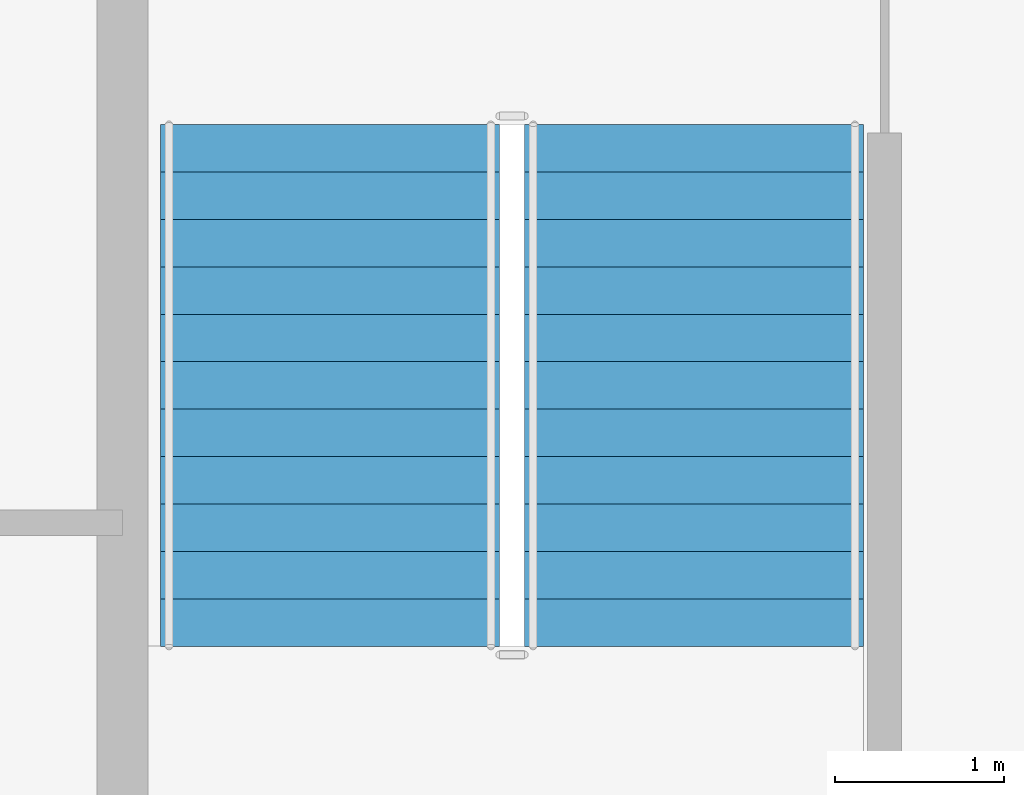
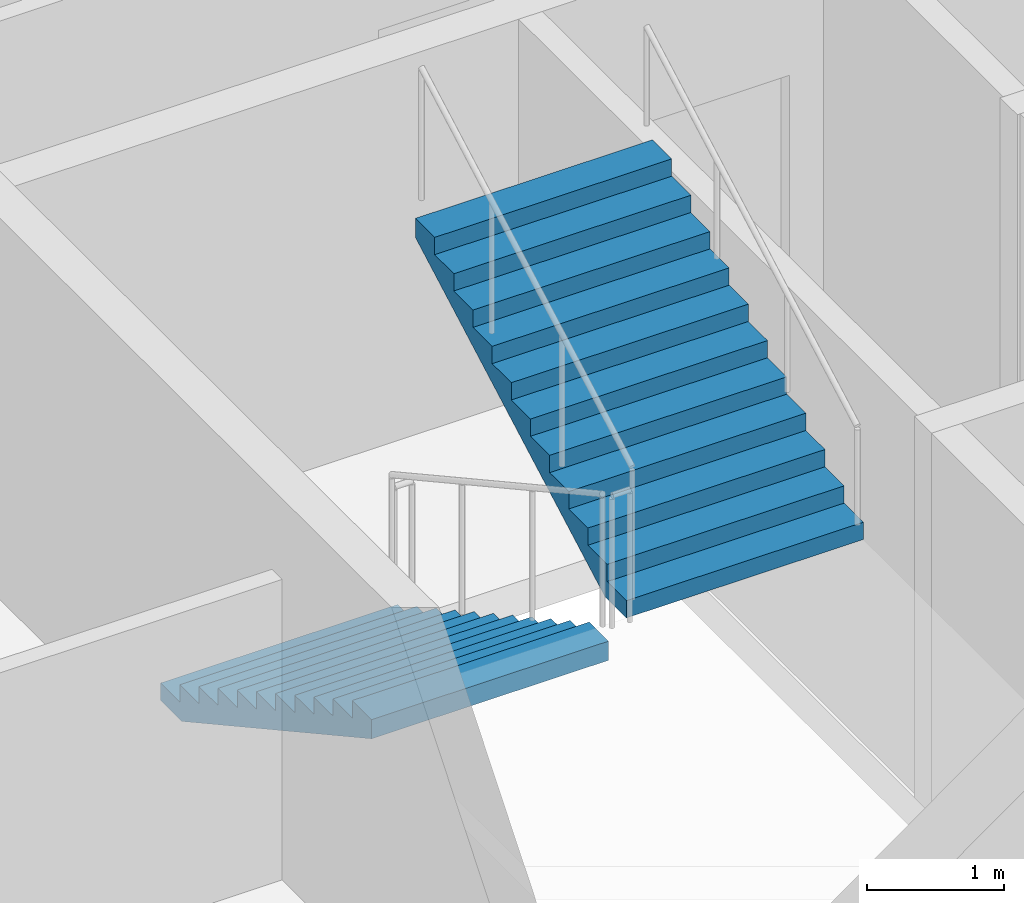
# One storey, part 10 of 13: 2 stair flights, 1 element without a shape of its own.
"""IFC4 building model written with IfcOpenShell, lengths in metres."""

import ifcopenshell
import ifcopenshell.guid

model = None  # the IFC model being written
_history = None  # IfcOwnerHistory: only IFC2X3 demands one
_inside = {}  # id of a spatial element -> (the spatial element, [elements in it])
_under = {}  # id of a project, library or spatial element -> (it, [spatial elements below it])
_declared = {}  # id of a project -> (the project, [libraries it declares])
_typed = {}  # id of a type object -> (the type object, [elements of that type])
_made_of = {}  # id of a material, layer set ... -> (it, [elements and type objects made of it])


def new_model(schema):
    """Start an empty IFC model of exactly this schema.

    Asked for "IFC4X3", IfcOpenShell would pick the latest addendum, in which some entities
    have other attributes; the version numbers below select the first issue.
    IFC2X3 requires an IfcOwnerHistory on every rooted entity: one is made here for all.
    """
    global model, _history
    if schema == "IFC4X3":
        model = ifcopenshell.file(schema_version=(4, 3, 0, 0))
    else:
        model = ifcopenshell.file(schema=schema)
    _inside.clear()
    _under.clear()
    _declared.clear()
    _typed.clear()
    _made_of.clear()
    _history = None
    if model.schema == "IFC2X3":
        org = make("IfcOrganization", Name="unknown")
        user = make(
            "IfcPersonAndOrganization",
            ThePerson=make("IfcPerson", FamilyName="unknown"),
            TheOrganization=org,
        )
        app = make(
            "IfcApplication",
            ApplicationDeveloper=org,
            Version="unknown",
            ApplicationFullName="unknown",
            ApplicationIdentifier="unknown",
        )
        _history = make(
            "IfcOwnerHistory",
            OwningUser=user,
            OwningApplication=app,
            ChangeAction="ADDED",
            CreationDate=0,
        )
    return model


def make(cls, **values):
    """One entity of the class cls with the attributes given. An attribute that is None is left unset."""
    return model.create_entity(
        cls, **{name: value for name, value in values.items() if value is not None}
    )


def rooted(cls, **values):
    """An entity with a GlobalId (a new one), such as an element, a storey or a relation."""
    return make(cls, GlobalId=ifcopenshell.guid.new(), OwnerHistory=_history, **values)


def si_unit(unit_type, name, prefix=None):
    """IfcSIUnit, for example si_unit("LENGTHUNIT", "METRE", prefix="MILLI")."""
    return make("IfcSIUnit", UnitType=unit_type, Prefix=prefix, Name=name)


def assignment(units):
    """IfcUnitAssignment: the units of a project."""
    return None if units is None else make("IfcUnitAssignment", Units=units)


def point(xyz):
    """IfcCartesianPoint."""
    return None if xyz is None else make("IfcCartesianPoint", Coordinates=xyz)


def direction(xyz):
    """IfcDirection."""
    return None if xyz is None else make("IfcDirection", DirectionRatios=xyz)


def frame(location, z_axis=None, x_axis=None):
    """IfcAxis2Placement3D, a coordinate frame: its origin and axes. An axis left out is left unset."""
    return make(
        "IfcAxis2Placement3D",
        Location=point(location),
        Axis=direction(z_axis),
        RefDirection=direction(x_axis),
    )


def origin():
    """The frame at (0, 0, 0) with its axes left unset."""
    return frame((0.0, 0.0, 0.0))


def place(relative_to, where):
    """IfcLocalPlacement: puts the frame where relative to a parent placement (None: the world)."""
    return make(
        "IfcLocalPlacement", PlacementRelTo=relative_to, RelativePlacement=where
    )


def context(
    kind, dimensions, precision=None, world=None, true_north=None, identifier=None
):
    """IfcGeometricRepresentationContext, for example the 3D "Model" context."""
    return make(
        "IfcGeometricRepresentationContext",
        ContextIdentifier=identifier,
        ContextType=kind,
        CoordinateSpaceDimension=dimensions,
        Precision=precision,
        WorldCoordinateSystem=world,
        TrueNorth=true_north,
    )


def subcontext(parent, identifier, kind, view, scale=None):
    """IfcGeometricRepresentationSubContext, for example "Body" below "Model"."""
    return make(
        "IfcGeometricRepresentationSubContext",
        ContextIdentifier=identifier,
        ContextType=kind,
        ParentContext=parent,
        TargetScale=scale,
        TargetView=view,
    )


def project(units=None, contexts=None):
    """IfcProject with its units and contexts."""
    return rooted(
        "IfcProject",
        Name="project",
        RepresentationContexts=contexts,
        UnitsInContext=assignment(units),
    )


def spatial(cls, under=None, at=None, **own):
    """A site, building, storey or space (cls), placed at a placement, below another one or the project."""
    s = rooted(cls, ObjectPlacement=at, **own)
    if under is not None:
        _under.setdefault(under.id(), (under, []))[1].append(s)
    return s


def point_list(points):
    """IfcCartesianPointList2D or 3D."""
    cls = (
        "IfcCartesianPointList2D" if len(points[0]) == 2 else "IfcCartesianPointList3D"
    )
    return make(cls, CoordList=points)


def polygons(points, faces, closed=None, point_numbers=None):
    """IfcPolygonalFaceSet: a face is its outer loop, then its inner loops; points numbered from 1."""
    made = []
    for loops in faces:
        if len(loops) == 1:
            made.append(make("IfcIndexedPolygonalFace", CoordIndex=loops[0]))
        else:
            made.append(
                make(
                    "IfcIndexedPolygonalFaceWithVoids",
                    CoordIndex=loops[0],
                    InnerCoordIndices=loops[1:],
                )
            )
    return make(
        "IfcPolygonalFaceSet",
        Coordinates=point_list(points),
        Closed=closed,
        Faces=made,
        PnIndex=point_numbers,
    )


def shape(context_of_items, identifier, shape_type, items):
    """IfcShapeRepresentation: the items that make up one representation, for example the "Body"."""
    return make(
        "IfcShapeRepresentation",
        ContextOfItems=context_of_items,
        RepresentationIdentifier=identifier,
        RepresentationType=shape_type,
        Items=items,
    )


def material(Name=None, Category=None):
    """IfcMaterial."""
    return make("IfcMaterial", Name=Name, Category=Category)


def made_of(thing, what):
    """Note that an element or type object is made of a material, layer set ...; save() writes the relation."""
    if what is not None:
        _made_of.setdefault(what.id(), (what, []))[1].append(thing)
    return thing


def type_object(cls, material=None, **own):
    """A type object (cls), such as IfcWallType, which elements share."""
    return made_of(rooted(cls, **own), material)


def element(
    cls,
    number,
    at=None,
    inside=None,
    cuts=None,
    type_object=None,
    material=None,
    context=None,
    identifier="Body",
    shape_type=None,
    held_by="IfcProductDefinitionShape",
    body=None,
    shapes=None,
    **own,
):
    """One element of the class cls, such as IfcWall. Its Tag is "e" and its number.

    at: its placement. inside: the storey or other place that contains it. cuts: it is an
    opening in that element (IfcRelVoidsElement). A single representation is given by context,
    identifier, shape_type and body (its items); several are given by shapes. held_by: the class
    of the entity that holds the representations. save() writes the other relations.
    """
    e = rooted(cls, Tag="e%d" % number, ObjectPlacement=at, **own)
    if body is not None:
        shapes = [shape(context, identifier, shape_type, body)]
    if shapes is not None:
        e.Representation = make(held_by, Representations=shapes)
    if inside is not None:
        _inside.setdefault(inside.id(), (inside, []))[1].append(e)
    if cuts is not None:
        rooted(
            "IfcRelVoidsElement", RelatingBuildingElement=cuts, RelatedOpeningElement=e
        )
    if type_object is not None:
        _typed.setdefault(type_object.id(), (type_object, []))[1].append(e)
    return made_of(e, material)


def aggregate(whole, parts):
    """IfcRelAggregates: a whole, such as a stair, and the parts it consists of."""
    return rooted("IfcRelAggregates", RelatingObject=whole, RelatedObjects=parts)


def save(model, path):
    """Write the relations noted so far, then the file.

    IfcRelAggregates (storeys below a building ...), IfcRelContainedInSpatialStructure (elements
    in a storey), IfcRelDefinesByType, IfcRelAssociatesMaterial and IfcRelDeclares: one each for
    every whole, place, type object, material and project.
    """
    for whole, parts in _under.values():
        aggregate(whole, parts)
    for where, things in _inside.values():
        rooted(
            "IfcRelContainedInSpatialStructure",
            RelatedElements=things,
            RelatingStructure=where,
        )
    for kind, things in _typed.values():
        rooted("IfcRelDefinesByType", RelatedObjects=things, RelatingType=kind)
    for what, things in _made_of.values():
        rooted("IfcRelAssociatesMaterial", RelatedObjects=things, RelatingMaterial=what)
    for by, libraries in _declared.values():
        rooted("IfcRelDeclares", RelatingContext=by, RelatedDefinitions=libraries)
    model.write(path)


model = new_model("IFC4")

# Units and contexts
model_context = context("Model", 3, precision=1e-05, world=origin(), true_north=direction((0.0, 1.0)))
body_context = subcontext(model_context, "Body", "Model", "MODEL_VIEW")
ifc_project = project(units=[si_unit("LENGTHUNIT", "METRE"), si_unit("AREAUNIT", "SQUARE_METRE"), si_unit("VOLUMEUNIT", "CUBIC_METRE"), si_unit("PLANEANGLEUNIT", "RADIAN"), si_unit("MASSUNIT", "GRAM", prefix="KILO")], contexts=[model_context])

# Site, building, storey
site_placement = place(None, origin())
site = spatial("IfcSite", under=ifc_project, at=site_placement, CompositionType="ELEMENT")
building_placement = place(site_placement, origin())
building = spatial("IfcBuilding", under=site, at=building_placement, Name="Caravel Reach Hotel and Residences", CompositionType="ELEMENT")
storey_placement = place(building_placement, frame((0.0, 0.0, 169.10009765625)))
storey = spatial("IfcBuildingStorey", under=building, at=storey_placement, Name="L42", CompositionType="ELEMENT", Elevation=169.10009765625)

# Stair, stair flights
ifc_material_1 = material(Name="Concrete C40", Category="concrete")
stair_type = type_object("IfcStairType", Name="Core stair", PredefinedType="HALF_TURN_STAIR", material=ifc_material_1)
stair_placement = place(storey_placement, origin())
stair = element("IfcStair", 1, at=stair_placement, inside=storey, type_object=stair_type, Name="L42 Exit stair A", PredefinedType="HALF_TURN_STAIR")
ifc_material_2 = material(Name="Concrete C40", Category="concrete")
stair_flight_type = type_object("IfcStairFlightType", Name="Core stair flight", PredefinedType="STRAIGHT", material=ifc_material_2)
stair_flight_1_placement = place(storey_placement, frame((19.22509765625, 29.35009765625, 0.0), z_axis=(0.0, 0.0, 1.0), x_axis=(0.0, -1.0, 0.0)))
stair_flight_1 = element("IfcStairFlight", 2, at=stair_flight_1_placement, type_object=stair_flight_type, Name="ST-A flight 1", NumberOfRisers=12, NumberOfTreads=11, PredefinedType="STRAIGHT", RiserHeight=0.154166667, TreadLength=0.28, context=body_context, shape_type="Tessellation", body=[
    polygons([(0.3107950034306102, 1.0, 0.0), (0.3107950034306102, 0.6666666666666667, 0.0), (0.3107950034306102, 0.33333333333333337, 0.0), (0.3107950034306102, 0.0, 0.0), (0.3107950034306102, -0.33333333333333326, 0.0), (0.3107950034306102, -0.6666666666666667, 0.0), (0.3107950034306102, -1.0, 0.0), (3.081, 1.0, 1.524711087717319), (3.081, 0.6666666666666667, 1.524711087717319), (3.081, 0.33333333333333337, 1.524711087717319), (3.081, 0.0, 1.524711087717319), (3.081, -0.33333333333333326, 1.524711087717319), (3.081, -0.6666666666666667, 1.524711087717319), (3.081, -1.0, 1.524711087717319), (3.081, 1.0, 1.695833337), (3.081, 0.6666666666666667, 1.695833337), (3.081, 0.33333333333333337, 1.695833337), (3.081, 0.0, 1.695833337), (3.081, -0.33333333333333326, 1.695833337), (3.081, -0.6666666666666667, 1.695833337), (3.081, -1.0, 1.695833337), (2.8000000000000003, 1.0, 1.695833337), (2.8000000000000003, 0.6666666666666667, 1.695833337), (2.8000000000000003, 0.33333333333333337, 1.695833337), (2.8000000000000003, 0.0, 1.695833337), (2.8000000000000003, -0.33333333333333326, 1.695833337), (2.8000000000000003, -0.6666666666666667, 1.695833337), (2.8000000000000003, -1.0, 1.695833337), (2.8000000000000003, 1.0, 1.5416666700000001), (2.8000000000000003, 0.6666666666666667, 1.5416666700000001), (2.8000000000000003, 0.33333333333333337, 1.5416666700000001), (2.8000000000000003, 0.0, 1.5416666700000001), (2.8000000000000003, -0.33333333333333326, 1.5416666700000001), (2.8000000000000003, -0.6666666666666667, 1.5416666700000001), (2.8000000000000003, -1.0, 1.5416666700000001), (2.5200000000000005, 1.0, 1.5416666700000001), (2.5200000000000005, 0.6666666666666667, 1.5416666700000001), (2.5200000000000005, 0.33333333333333337, 1.5416666700000001), (2.5200000000000005, 0.0, 1.5416666700000001), (2.5200000000000005, -0.33333333333333326, 1.5416666700000001), (2.5200000000000005, -0.6666666666666667, 1.5416666700000001), (2.5200000000000005, -1.0, 1.5416666700000001), (2.5200000000000005, 1.0, 1.387500003), (2.5200000000000005, 0.6666666666666667, 1.387500003), (2.5200000000000005, 0.33333333333333337, 1.387500003), (2.5200000000000005, 0.0, 1.387500003), (2.5200000000000005, -0.33333333333333326, 1.387500003), (2.5200000000000005, -0.6666666666666667, 1.387500003), (2.5200000000000005, -1.0, 1.387500003), (2.24, 1.0, 1.387500003), (2.24, 0.6666666666666667, 1.387500003), (2.24, 0.33333333333333337, 1.387500003), (2.24, 0.0, 1.387500003), (2.24, -0.33333333333333326, 1.387500003), (2.24, -0.6666666666666667, 1.387500003), (2.24, -1.0, 1.387500003), (2.24, 1.0, 1.233333336), (2.24, 0.6666666666666667, 1.233333336), (2.24, 0.33333333333333337, 1.233333336), (2.24, 0.0, 1.233333336), (2.24, -0.33333333333333326, 1.233333336), (2.24, -0.6666666666666667, 1.233333336), (2.24, -1.0, 1.233333336), (1.9600000000000002, 1.0, 1.233333336), (1.9600000000000002, 0.6666666666666667, 1.233333336), (1.9600000000000002, 0.33333333333333337, 1.233333336), (1.9600000000000002, 0.0, 1.233333336), (1.9600000000000002, -0.33333333333333326, 1.233333336), (1.9600000000000002, -0.6666666666666667, 1.233333336), (1.9600000000000002, -1.0, 1.233333336), (1.9600000000000002, 1.0, 1.0791666690000001), (1.9600000000000002, 0.6666666666666667, 1.0791666690000001), (1.9600000000000002, 0.33333333333333337, 1.0791666690000001), (1.9600000000000002, 0.0, 1.0791666690000001), (1.9600000000000002, -0.33333333333333326, 1.0791666690000001), (1.9600000000000002, -0.6666666666666667, 1.0791666690000001), (1.9600000000000002, -1.0, 1.0791666690000001), (1.6800000000000002, 1.0, 1.0791666690000001), (1.6800000000000002, 0.6666666666666667, 1.0791666690000001), (1.6800000000000002, 0.33333333333333337, 1.0791666690000001), (1.6800000000000002, 0.0, 1.0791666690000001), (1.6800000000000002, -0.33333333333333326, 1.0791666690000001), (1.6800000000000002, -0.6666666666666667, 1.0791666690000001), (1.6800000000000002, -1.0, 1.0791666690000001), (1.6800000000000002, 1.0, 0.925000002), (1.6800000000000002, 0.6666666666666667, 0.925000002), (1.6800000000000002, 0.33333333333333337, 0.925000002), (1.6800000000000002, 0.0, 0.925000002), (1.6800000000000002, -0.33333333333333326, 0.925000002), (1.6800000000000002, -0.6666666666666667, 0.925000002), (1.6800000000000002, -1.0, 0.925000002), (1.4000000000000001, 1.0, 0.925000002), (1.4000000000000001, 0.6666666666666667, 0.925000002), (1.4000000000000001, 0.33333333333333337, 0.925000002), (1.4000000000000001, 0.0, 0.925000002), (1.4000000000000001, -0.33333333333333326, 0.925000002), (1.4000000000000001, -0.6666666666666667, 0.925000002), (1.4000000000000001, -1.0, 0.925000002), (1.4000000000000001, 1.0, 0.7708333350000001), (1.4000000000000001, 0.6666666666666667, 0.7708333350000001), (1.4000000000000001, 0.33333333333333337, 0.7708333350000001), (1.4000000000000001, 0.0, 0.7708333350000001), (1.4000000000000001, -0.33333333333333326, 0.7708333350000001), (1.4000000000000001, -0.6666666666666667, 0.7708333350000001), (1.4000000000000001, -1.0, 0.7708333350000001), (1.12, 1.0, 0.7708333350000001), (1.12, 0.6666666666666667, 0.7708333350000001), (1.12, 0.33333333333333337, 0.7708333350000001), (1.12, 0.0, 0.7708333350000001), (1.12, -0.33333333333333326, 0.7708333350000001), (1.12, -0.6666666666666667, 0.7708333350000001), (1.12, -1.0, 0.7708333350000001), (1.12, 1.0, 0.616666668), (1.12, 0.6666666666666667, 0.616666668), (1.12, 0.33333333333333337, 0.616666668), (1.12, 0.0, 0.616666668), (1.12, -0.33333333333333326, 0.616666668), (1.12, -0.6666666666666667, 0.616666668), (1.12, -1.0, 0.616666668), (0.8400000000000001, 1.0, 0.616666668), (0.8400000000000001, 0.6666666666666667, 0.616666668), (0.8400000000000001, 0.33333333333333337, 0.616666668), (0.8400000000000001, 0.0, 0.616666668), (0.8400000000000001, -0.33333333333333326, 0.616666668), (0.8400000000000001, -0.6666666666666667, 0.616666668), (0.8400000000000001, -1.0, 0.616666668), (0.8400000000000001, 1.0, 0.462500001), (0.8400000000000001, 0.6666666666666667, 0.462500001), (0.8400000000000001, 0.33333333333333337, 0.462500001), (0.8400000000000001, 0.0, 0.462500001), (0.8400000000000001, -0.33333333333333326, 0.462500001), (0.8400000000000001, -0.6666666666666667, 0.462500001), (0.8400000000000001, -1.0, 0.462500001), (0.56, 1.0, 0.462500001), (0.56, 0.6666666666666667, 0.462500001), (0.56, 0.33333333333333337, 0.462500001), (0.56, 0.0, 0.462500001), (0.56, -0.33333333333333326, 0.462500001), (0.56, -0.6666666666666667, 0.462500001), (0.56, -1.0, 0.462500001), (0.56, 1.0, 0.308333334), (0.56, 0.6666666666666667, 0.308333334), (0.56, 0.33333333333333337, 0.308333334), (0.56, 0.0, 0.308333334), (0.56, -0.33333333333333326, 0.308333334), (0.56, -0.6666666666666667, 0.308333334), (0.56, -1.0, 0.308333334), (0.28, 1.0, 0.308333334), (0.28, 0.6666666666666667, 0.308333334), (0.28, 0.33333333333333337, 0.308333334), (0.28, 0.0, 0.308333334), (0.28, -0.33333333333333326, 0.308333334), (0.28, -0.6666666666666667, 0.308333334), (0.28, -1.0, 0.308333334), (0.28, 1.0, 0.154166667), (0.28, 0.6666666666666667, 0.154166667), (0.28, 0.33333333333333337, 0.154166667), (0.28, 0.0, 0.154166667), (0.28, -0.33333333333333326, 0.154166667), (0.28, -0.6666666666666667, 0.154166667), (0.28, -1.0, 0.154166667), (-0.001, 1.0, 0.154166667), (-0.001, 0.6666666666666667, 0.154166667), (-0.001, 0.33333333333333337, 0.154166667), (-0.001, 0.0, 0.154166667), (-0.001, -0.33333333333333326, 0.154166667), (-0.001, -0.6666666666666667, 0.154166667), (-0.001, -1.0, 0.154166667), (-0.001, 1.0, 0.0), (-0.001, 0.6666666666666667, 0.0), (-0.001, 0.33333333333333337, 0.0), (-0.001, 0.0, 0.0), (-0.001, -0.33333333333333326, 0.0), (-0.001, -0.6666666666666667, 0.0), (-0.001, -1.0, 0.0)], [[[169, 162, 155, 148, 141, 134, 127, 120, 113, 106, 99, 92, 85, 78, 71, 64, 57, 50, 43, 36, 29, 22, 15, 8, 1]], [[7, 14, 21, 28, 35, 42, 49, 56, 63, 70, 77, 84, 91, 98, 105, 112, 119, 126, 133, 140, 147, 154, 161, 168, 175]], [[1, 8, 9, 2]], [[2, 9, 10, 3]], [[3, 10, 11, 4]], [[4, 11, 12, 5]], [[5, 12, 13, 6]], [[6, 13, 14, 7]], [[8, 15, 16, 9]], [[9, 16, 17, 10]], [[10, 17, 18, 11]], [[11, 18, 19, 12]], [[12, 19, 20, 13]], [[13, 20, 21, 14]], [[15, 22, 23, 16]], [[16, 23, 24, 17]], [[17, 24, 25, 18]], [[18, 25, 26, 19]], [[19, 26, 27, 20]], [[20, 27, 28, 21]], [[22, 29, 30, 23]], [[23, 30, 31, 24]], [[24, 31, 32, 25]], [[25, 32, 33, 26]], [[26, 33, 34, 27]], [[27, 34, 35, 28]], [[29, 36, 37, 30]], [[30, 37, 38, 31]], [[31, 38, 39, 32]], [[32, 39, 40, 33]], [[33, 40, 41, 34]], [[34, 41, 42, 35]], [[36, 43, 44, 37]], [[37, 44, 45, 38]], [[38, 45, 46, 39]], [[39, 46, 47, 40]], [[40, 47, 48, 41]], [[41, 48, 49, 42]], [[43, 50, 51, 44]], [[44, 51, 52, 45]], [[45, 52, 53, 46]], [[46, 53, 54, 47]], [[47, 54, 55, 48]], [[48, 55, 56, 49]], [[50, 57, 58, 51]], [[51, 58, 59, 52]], [[52, 59, 60, 53]], [[53, 60, 61, 54]], [[54, 61, 62, 55]], [[55, 62, 63, 56]], [[57, 64, 65, 58]], [[58, 65, 66, 59]], [[59, 66, 67, 60]], [[60, 67, 68, 61]], [[61, 68, 69, 62]], [[62, 69, 70, 63]], [[64, 71, 72, 65]], [[65, 72, 73, 66]], [[66, 73, 74, 67]], [[67, 74, 75, 68]], [[68, 75, 76, 69]], [[69, 76, 77, 70]], [[71, 78, 79, 72]], [[72, 79, 80, 73]], [[73, 80, 81, 74]], [[74, 81, 82, 75]], [[75, 82, 83, 76]], [[76, 83, 84, 77]], [[78, 85, 86, 79]], [[79, 86, 87, 80]], [[80, 87, 88, 81]], [[81, 88, 89, 82]], [[82, 89, 90, 83]], [[83, 90, 91, 84]], [[85, 92, 93, 86]], [[86, 93, 94, 87]], [[87, 94, 95, 88]], [[88, 95, 96, 89]], [[89, 96, 97, 90]], [[90, 97, 98, 91]], [[92, 99, 100, 93]], [[93, 100, 101, 94]], [[94, 101, 102, 95]], [[95, 102, 103, 96]], [[96, 103, 104, 97]], [[97, 104, 105, 98]], [[99, 106, 107, 100]], [[100, 107, 108, 101]], [[101, 108, 109, 102]], [[102, 109, 110, 103]], [[103, 110, 111, 104]], [[104, 111, 112, 105]], [[106, 113, 114, 107]], [[107, 114, 115, 108]], [[108, 115, 116, 109]], [[109, 116, 117, 110]], [[110, 117, 118, 111]], [[111, 118, 119, 112]], [[113, 120, 121, 114]], [[114, 121, 122, 115]], [[115, 122, 123, 116]], [[116, 123, 124, 117]], [[117, 124, 125, 118]], [[118, 125, 126, 119]], [[120, 127, 128, 121]], [[121, 128, 129, 122]], [[122, 129, 130, 123]], [[123, 130, 131, 124]], [[124, 131, 132, 125]], [[125, 132, 133, 126]], [[127, 134, 135, 128]], [[128, 135, 136, 129]], [[129, 136, 137, 130]], [[130, 137, 138, 131]], [[131, 138, 139, 132]], [[132, 139, 140, 133]], [[134, 141, 142, 135]], [[135, 142, 143, 136]], [[136, 143, 144, 137]], [[137, 144, 145, 138]], [[138, 145, 146, 139]], [[139, 146, 147, 140]], [[141, 148, 149, 142]], [[142, 149, 150, 143]], [[143, 150, 151, 144]], [[144, 151, 152, 145]], [[145, 152, 153, 146]], [[146, 153, 154, 147]], [[148, 155, 156, 149]], [[149, 156, 157, 150]], [[150, 157, 158, 151]], [[151, 158, 159, 152]], [[152, 159, 160, 153]], [[153, 160, 161, 154]], [[155, 162, 163, 156]], [[156, 163, 164, 157]], [[157, 164, 165, 158]], [[158, 165, 166, 159]], [[159, 166, 167, 160]], [[160, 167, 168, 161]], [[162, 169, 170, 163]], [[163, 170, 171, 164]], [[164, 171, 172, 165]], [[165, 172, 173, 166]], [[166, 173, 174, 167]], [[167, 174, 175, 168]], [[169, 1, 2, 170]], [[170, 2, 3, 171]], [[171, 3, 4, 172]], [[172, 4, 5, 173]], [[173, 5, 6, 174]], [[174, 6, 7, 175]]], closed=True),
])
stair_flight_2_placement = place(storey_placement, frame((21.375, 26.27001953125, 1.849853515625), z_axis=(0.0, 0.0, 1.0), x_axis=(0.0, 1.0, 0.0)))
stair_flight_2 = element("IfcStairFlight", 3, at=stair_flight_2_placement, type_object=stair_flight_type, Name="ST-A flight 2", NumberOfRisers=12, NumberOfTreads=11, PredefinedType="STRAIGHT", RiserHeight=0.154166667, TreadLength=0.28, context=body_context, shape_type="Tessellation", body=[
    polygons([(0.3107950034306102, 1.0, 0.0), (0.3107950034306102, 0.6666666666666667, 0.0), (0.3107950034306102, 0.33333333333333337, 0.0), (0.3107950034306102, 0.0, 0.0), (0.3107950034306102, -0.33333333333333326, 0.0), (0.3107950034306102, -0.6666666666666667, 0.0), (0.3107950034306102, -1.0, 0.0), (3.081, 1.0, 1.524711087717319), (3.081, 0.6666666666666667, 1.524711087717319), (3.081, 0.33333333333333337, 1.524711087717319), (3.081, 0.0, 1.524711087717319), (3.081, -0.33333333333333326, 1.524711087717319), (3.081, -0.6666666666666667, 1.524711087717319), (3.081, -1.0, 1.524711087717319), (3.081, 1.0, 1.695833337), (3.081, 0.6666666666666667, 1.695833337), (3.081, 0.33333333333333337, 1.695833337), (3.081, 0.0, 1.695833337), (3.081, -0.33333333333333326, 1.695833337), (3.081, -0.6666666666666667, 1.695833337), (3.081, -1.0, 1.695833337), (2.8000000000000003, 1.0, 1.695833337), (2.8000000000000003, 0.6666666666666667, 1.695833337), (2.8000000000000003, 0.33333333333333337, 1.695833337), (2.8000000000000003, 0.0, 1.695833337), (2.8000000000000003, -0.33333333333333326, 1.695833337), (2.8000000000000003, -0.6666666666666667, 1.695833337), (2.8000000000000003, -1.0, 1.695833337), (2.8000000000000003, 1.0, 1.5416666700000001), (2.8000000000000003, 0.6666666666666667, 1.5416666700000001), (2.8000000000000003, 0.33333333333333337, 1.5416666700000001), (2.8000000000000003, 0.0, 1.5416666700000001), (2.8000000000000003, -0.33333333333333326, 1.5416666700000001), (2.8000000000000003, -0.6666666666666667, 1.5416666700000001), (2.8000000000000003, -1.0, 1.5416666700000001), (2.5200000000000005, 1.0, 1.5416666700000001), (2.5200000000000005, 0.6666666666666667, 1.5416666700000001), (2.5200000000000005, 0.33333333333333337, 1.5416666700000001), (2.5200000000000005, 0.0, 1.5416666700000001), (2.5200000000000005, -0.33333333333333326, 1.5416666700000001), (2.5200000000000005, -0.6666666666666667, 1.5416666700000001), (2.5200000000000005, -1.0, 1.5416666700000001), (2.5200000000000005, 1.0, 1.387500003), (2.5200000000000005, 0.6666666666666667, 1.387500003), (2.5200000000000005, 0.33333333333333337, 1.387500003), (2.5200000000000005, 0.0, 1.387500003), (2.5200000000000005, -0.33333333333333326, 1.387500003), (2.5200000000000005, -0.6666666666666667, 1.387500003), (2.5200000000000005, -1.0, 1.387500003), (2.24, 1.0, 1.387500003), (2.24, 0.6666666666666667, 1.387500003), (2.24, 0.33333333333333337, 1.387500003), (2.24, 0.0, 1.387500003), (2.24, -0.33333333333333326, 1.387500003), (2.24, -0.6666666666666667, 1.387500003), (2.24, -1.0, 1.387500003), (2.24, 1.0, 1.233333336), (2.24, 0.6666666666666667, 1.233333336), (2.24, 0.33333333333333337, 1.233333336), (2.24, 0.0, 1.233333336), (2.24, -0.33333333333333326, 1.233333336), (2.24, -0.6666666666666667, 1.233333336), (2.24, -1.0, 1.233333336), (1.9600000000000002, 1.0, 1.233333336), (1.9600000000000002, 0.6666666666666667, 1.233333336), (1.9600000000000002, 0.33333333333333337, 1.233333336), (1.9600000000000002, 0.0, 1.233333336), (1.9600000000000002, -0.33333333333333326, 1.233333336), (1.9600000000000002, -0.6666666666666667, 1.233333336), (1.9600000000000002, -1.0, 1.233333336), (1.9600000000000002, 1.0, 1.0791666690000001), (1.9600000000000002, 0.6666666666666667, 1.0791666690000001), (1.9600000000000002, 0.33333333333333337, 1.0791666690000001), (1.9600000000000002, 0.0, 1.0791666690000001), (1.9600000000000002, -0.33333333333333326, 1.0791666690000001), (1.9600000000000002, -0.6666666666666667, 1.0791666690000001), (1.9600000000000002, -1.0, 1.0791666690000001), (1.6800000000000002, 1.0, 1.0791666690000001), (1.6800000000000002, 0.6666666666666667, 1.0791666690000001), (1.6800000000000002, 0.33333333333333337, 1.0791666690000001), (1.6800000000000002, 0.0, 1.0791666690000001), (1.6800000000000002, -0.33333333333333326, 1.0791666690000001), (1.6800000000000002, -0.6666666666666667, 1.0791666690000001), (1.6800000000000002, -1.0, 1.0791666690000001), (1.6800000000000002, 1.0, 0.925000002), (1.6800000000000002, 0.6666666666666667, 0.925000002), (1.6800000000000002, 0.33333333333333337, 0.925000002), (1.6800000000000002, 0.0, 0.925000002), (1.6800000000000002, -0.33333333333333326, 0.925000002), (1.6800000000000002, -0.6666666666666667, 0.925000002), (1.6800000000000002, -1.0, 0.925000002), (1.4000000000000001, 1.0, 0.925000002), (1.4000000000000001, 0.6666666666666667, 0.925000002), (1.4000000000000001, 0.33333333333333337, 0.925000002), (1.4000000000000001, 0.0, 0.925000002), (1.4000000000000001, -0.33333333333333326, 0.925000002), (1.4000000000000001, -0.6666666666666667, 0.925000002), (1.4000000000000001, -1.0, 0.925000002), (1.4000000000000001, 1.0, 0.7708333350000001), (1.4000000000000001, 0.6666666666666667, 0.7708333350000001), (1.4000000000000001, 0.33333333333333337, 0.7708333350000001), (1.4000000000000001, 0.0, 0.7708333350000001), (1.4000000000000001, -0.33333333333333326, 0.7708333350000001), (1.4000000000000001, -0.6666666666666667, 0.7708333350000001), (1.4000000000000001, -1.0, 0.7708333350000001), (1.12, 1.0, 0.7708333350000001), (1.12, 0.6666666666666667, 0.7708333350000001), (1.12, 0.33333333333333337, 0.7708333350000001), (1.12, 0.0, 0.7708333350000001), (1.12, -0.33333333333333326, 0.7708333350000001), (1.12, -0.6666666666666667, 0.7708333350000001), (1.12, -1.0, 0.7708333350000001), (1.12, 1.0, 0.616666668), (1.12, 0.6666666666666667, 0.616666668), (1.12, 0.33333333333333337, 0.616666668), (1.12, 0.0, 0.616666668), (1.12, -0.33333333333333326, 0.616666668), (1.12, -0.6666666666666667, 0.616666668), (1.12, -1.0, 0.616666668), (0.8400000000000001, 1.0, 0.616666668), (0.8400000000000001, 0.6666666666666667, 0.616666668), (0.8400000000000001, 0.33333333333333337, 0.616666668), (0.8400000000000001, 0.0, 0.616666668), (0.8400000000000001, -0.33333333333333326, 0.616666668), (0.8400000000000001, -0.6666666666666667, 0.616666668), (0.8400000000000001, -1.0, 0.616666668), (0.8400000000000001, 1.0, 0.462500001), (0.8400000000000001, 0.6666666666666667, 0.462500001), (0.8400000000000001, 0.33333333333333337, 0.462500001), (0.8400000000000001, 0.0, 0.462500001), (0.8400000000000001, -0.33333333333333326, 0.462500001), (0.8400000000000001, -0.6666666666666667, 0.462500001), (0.8400000000000001, -1.0, 0.462500001), (0.56, 1.0, 0.462500001), (0.56, 0.6666666666666667, 0.462500001), (0.56, 0.33333333333333337, 0.462500001), (0.56, 0.0, 0.462500001), (0.56, -0.33333333333333326, 0.462500001), (0.56, -0.6666666666666667, 0.462500001), (0.56, -1.0, 0.462500001), (0.56, 1.0, 0.308333334), (0.56, 0.6666666666666667, 0.308333334), (0.56, 0.33333333333333337, 0.308333334), (0.56, 0.0, 0.308333334), (0.56, -0.33333333333333326, 0.308333334), (0.56, -0.6666666666666667, 0.308333334), (0.56, -1.0, 0.308333334), (0.28, 1.0, 0.308333334), (0.28, 0.6666666666666667, 0.308333334), (0.28, 0.33333333333333337, 0.308333334), (0.28, 0.0, 0.308333334), (0.28, -0.33333333333333326, 0.308333334), (0.28, -0.6666666666666667, 0.308333334), (0.28, -1.0, 0.308333334), (0.28, 1.0, 0.154166667), (0.28, 0.6666666666666667, 0.154166667), (0.28, 0.33333333333333337, 0.154166667), (0.28, 0.0, 0.154166667), (0.28, -0.33333333333333326, 0.154166667), (0.28, -0.6666666666666667, 0.154166667), (0.28, -1.0, 0.154166667), (-0.001, 1.0, 0.154166667), (-0.001, 0.6666666666666667, 0.154166667), (-0.001, 0.33333333333333337, 0.154166667), (-0.001, 0.0, 0.154166667), (-0.001, -0.33333333333333326, 0.154166667), (-0.001, -0.6666666666666667, 0.154166667), (-0.001, -1.0, 0.154166667), (-0.001, 1.0, 0.0), (-0.001, 0.6666666666666667, 0.0), (-0.001, 0.33333333333333337, 0.0), (-0.001, 0.0, 0.0), (-0.001, -0.33333333333333326, 0.0), (-0.001, -0.6666666666666667, 0.0), (-0.001, -1.0, 0.0)], [[[169, 162, 155, 148, 141, 134, 127, 120, 113, 106, 99, 92, 85, 78, 71, 64, 57, 50, 43, 36, 29, 22, 15, 8, 1]], [[7, 14, 21, 28, 35, 42, 49, 56, 63, 70, 77, 84, 91, 98, 105, 112, 119, 126, 133, 140, 147, 154, 161, 168, 175]], [[1, 8, 9, 2]], [[2, 9, 10, 3]], [[3, 10, 11, 4]], [[4, 11, 12, 5]], [[5, 12, 13, 6]], [[6, 13, 14, 7]], [[8, 15, 16, 9]], [[9, 16, 17, 10]], [[10, 17, 18, 11]], [[11, 18, 19, 12]], [[12, 19, 20, 13]], [[13, 20, 21, 14]], [[15, 22, 23, 16]], [[16, 23, 24, 17]], [[17, 24, 25, 18]], [[18, 25, 26, 19]], [[19, 26, 27, 20]], [[20, 27, 28, 21]], [[22, 29, 30, 23]], [[23, 30, 31, 24]], [[24, 31, 32, 25]], [[25, 32, 33, 26]], [[26, 33, 34, 27]], [[27, 34, 35, 28]], [[29, 36, 37, 30]], [[30, 37, 38, 31]], [[31, 38, 39, 32]], [[32, 39, 40, 33]], [[33, 40, 41, 34]], [[34, 41, 42, 35]], [[36, 43, 44, 37]], [[37, 44, 45, 38]], [[38, 45, 46, 39]], [[39, 46, 47, 40]], [[40, 47, 48, 41]], [[41, 48, 49, 42]], [[43, 50, 51, 44]], [[44, 51, 52, 45]], [[45, 52, 53, 46]], [[46, 53, 54, 47]], [[47, 54, 55, 48]], [[48, 55, 56, 49]], [[50, 57, 58, 51]], [[51, 58, 59, 52]], [[52, 59, 60, 53]], [[53, 60, 61, 54]], [[54, 61, 62, 55]], [[55, 62, 63, 56]], [[57, 64, 65, 58]], [[58, 65, 66, 59]], [[59, 66, 67, 60]], [[60, 67, 68, 61]], [[61, 68, 69, 62]], [[62, 69, 70, 63]], [[64, 71, 72, 65]], [[65, 72, 73, 66]], [[66, 73, 74, 67]], [[67, 74, 75, 68]], [[68, 75, 76, 69]], [[69, 76, 77, 70]], [[71, 78, 79, 72]], [[72, 79, 80, 73]], [[73, 80, 81, 74]], [[74, 81, 82, 75]], [[75, 82, 83, 76]], [[76, 83, 84, 77]], [[78, 85, 86, 79]], [[79, 86, 87, 80]], [[80, 87, 88, 81]], [[81, 88, 89, 82]], [[82, 89, 90, 83]], [[83, 90, 91, 84]], [[85, 92, 93, 86]], [[86, 93, 94, 87]], [[87, 94, 95, 88]], [[88, 95, 96, 89]], [[89, 96, 97, 90]], [[90, 97, 98, 91]], [[92, 99, 100, 93]], [[93, 100, 101, 94]], [[94, 101, 102, 95]], [[95, 102, 103, 96]], [[96, 103, 104, 97]], [[97, 104, 105, 98]], [[99, 106, 107, 100]], [[100, 107, 108, 101]], [[101, 108, 109, 102]], [[102, 109, 110, 103]], [[103, 110, 111, 104]], [[104, 111, 112, 105]], [[106, 113, 114, 107]], [[107, 114, 115, 108]], [[108, 115, 116, 109]], [[109, 116, 117, 110]], [[110, 117, 118, 111]], [[111, 118, 119, 112]], [[113, 120, 121, 114]], [[114, 121, 122, 115]], [[115, 122, 123, 116]], [[116, 123, 124, 117]], [[117, 124, 125, 118]], [[118, 125, 126, 119]], [[120, 127, 128, 121]], [[121, 128, 129, 122]], [[122, 129, 130, 123]], [[123, 130, 131, 124]], [[124, 131, 132, 125]], [[125, 132, 133, 126]], [[127, 134, 135, 128]], [[128, 135, 136, 129]], [[129, 136, 137, 130]], [[130, 137, 138, 131]], [[131, 138, 139, 132]], [[132, 139, 140, 133]], [[134, 141, 142, 135]], [[135, 142, 143, 136]], [[136, 143, 144, 137]], [[137, 144, 145, 138]], [[138, 145, 146, 139]], [[139, 146, 147, 140]], [[141, 148, 149, 142]], [[142, 149, 150, 143]], [[143, 150, 151, 144]], [[144, 151, 152, 145]], [[145, 152, 153, 146]], [[146, 153, 154, 147]], [[148, 155, 156, 149]], [[149, 156, 157, 150]], [[150, 157, 158, 151]], [[151, 158, 159, 152]], [[152, 159, 160, 153]], [[153, 160, 161, 154]], [[155, 162, 163, 156]], [[156, 163, 164, 157]], [[157, 164, 165, 158]], [[158, 165, 166, 159]], [[159, 166, 167, 160]], [[160, 167, 168, 161]], [[162, 169, 170, 163]], [[163, 170, 171, 164]], [[164, 171, 172, 165]], [[165, 172, 173, 166]], [[166, 173, 174, 167]], [[167, 174, 175, 168]], [[169, 1, 2, 170]], [[170, 2, 3, 171]], [[171, 3, 4, 172]], [[172, 4, 5, 173]], [[173, 5, 6, 174]], [[174, 6, 7, 175]]], closed=True),
])
aggregate(stair, [stair_flight_1, stair_flight_2])

save(model, "model.ifc")
